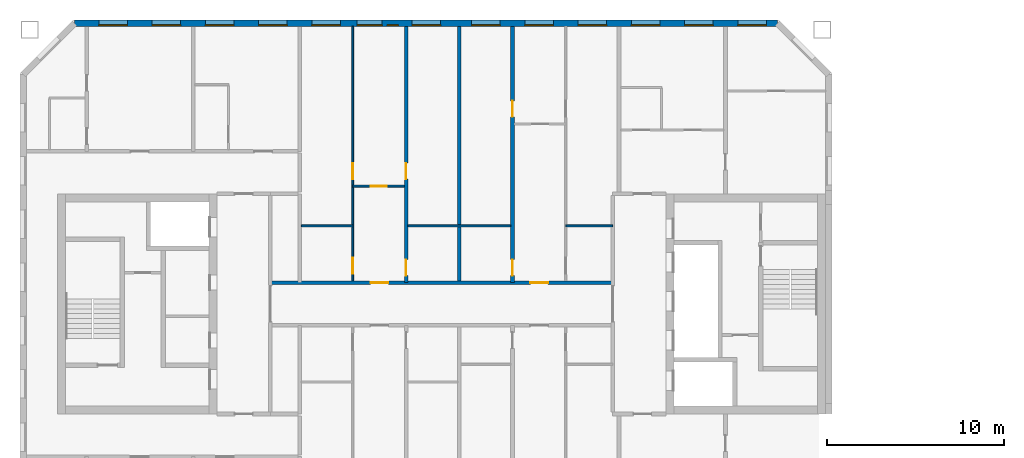
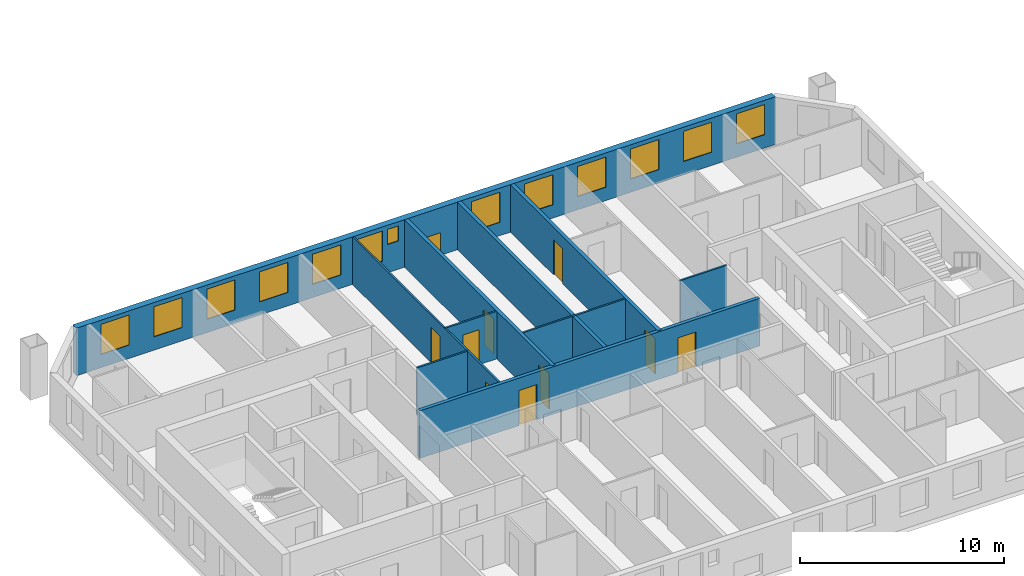
# One storey, part 5 of 15: 14 windows, 10 walls, 9 doors, 23 openings.
"""IFC4 building model written with IfcOpenShell, lengths in metres."""

from ifc_helpers import new_model, si_unit, direction, frame, frame_2d, origin, place, context, subcontext, project, spatial, rectangle, extrude, material, layer, layer_set, type_object, element, fill, save


model = new_model("IFC4")

# Units and contexts
model_context = context("Model", 3, precision=1e-05, world=origin(), true_north=direction((0.0, 1.0)))
body_context = subcontext(model_context, "Body", "Model", "MODEL_VIEW")
ifc_project = project(units=[si_unit("LENGTHUNIT", "METRE"), si_unit("AREAUNIT", "SQUARE_METRE"), si_unit("VOLUMEUNIT", "CUBIC_METRE"), si_unit("PLANEANGLEUNIT", "RADIAN"), si_unit("MASSUNIT", "GRAM", prefix="KILO")], contexts=[model_context])

# Site, building, storey
site_placement = place(None, origin())
site = spatial("IfcSite", under=ifc_project, at=site_placement, CompositionType="ELEMENT")
building_placement = place(site_placement, origin())
building = spatial("IfcBuilding", under=site, at=building_placement, Name="Tuart Gate Housing", CompositionType="ELEMENT")
storey_placement = place(building_placement, frame((0.0, 0.0, 191.300048828125)))
storey = spatial("IfcBuildingStorey", under=building, at=storey_placement, Name="L54", CompositionType="ELEMENT", Elevation=191.300048828125)

# Wall, openings, windows
ifc_material_1 = material(Name="Brick", Category="masonry")
ifc_layer_1 = layer(ifc_material_1, 0.360107421875)
ifc_layer_set_1 = layer_set([ifc_layer_1], Name="Brick pier and spandrel wall 360")
wall_type_1 = type_object("IfcWallType", Name="Brick pier and spandrel wall 360", PredefinedType="STANDARD", material=ifc_layer_set_1)
wall_1_placement = place(storey_placement, frame((72.92529296875, 85.820068359375, 0.0), z_axis=(0.0, 0.0, 1.0), x_axis=(-1.0, 0.0, 0.0)))
wall_1 = element("IfcWall", 1, at=wall_1_placement, inside=storey, type_object=wall_type_1, Name="External wall A-N L54", PredefinedType="STANDARD", context=body_context, shape_type="SweptSolid", body=[
    extrude(rectangle(XDim=39.600830078125, YDim=0.360107421875, at=frame_2d((19.80029296875, 0.0))), origin(), (0.0, 0.0, 1.0), 2.849853515625),
])
opening_1_placement = place(wall_1_placement, frame((0.62548828125, 0.0, 0.800048828125)))
opening_1 = element("IfcOpeningElement", 2, at=opening_1_placement, cuts=wall_1, Name="Opening W1", PredefinedType="OPENING", context=body_context, shape_type="SweptSolid", body=[
    extrude(rectangle(XDim=1.60009765625, YDim=1.800048828125, at=frame_2d((0.800048828125, 0.89990234375))), frame((0.0, 0.18994140625, 0.0), z_axis=(0.0, -1.0, 0.0), x_axis=(1.0, 0.0, 0.0)), (0.0, 0.0, 1.0), 0.380126953125),
])
opening_2_placement = place(wall_1_placement, frame((3.62548828125, 0.0, 0.800048828125)))
opening_2 = element("IfcOpeningElement", 3, at=opening_2_placement, cuts=wall_1, Name="Opening W1", PredefinedType="OPENING", context=body_context, shape_type="SweptSolid", body=[
    extrude(rectangle(XDim=1.60009765625, YDim=1.800048828125, at=frame_2d((0.800048828125, 0.89990234375))), frame((0.0, 0.18994140625, 0.0), z_axis=(0.0, -1.0, 0.0), x_axis=(1.0, 0.0, 0.0)), (0.0, 0.0, 1.0), 0.380126953125),
])
opening_3_placement = place(wall_1_placement, frame((6.62548828125, 0.0, 0.800048828125)))
opening_3 = element("IfcOpeningElement", 4, at=opening_3_placement, cuts=wall_1, Name="Opening W1", PredefinedType="OPENING", context=body_context, shape_type="SweptSolid", body=[
    extrude(rectangle(XDim=1.60009765625, YDim=1.800048828125, at=frame_2d((0.800048828125, 0.89990234375))), frame((0.0, 0.18994140625, 0.0), z_axis=(0.0, -1.0, 0.0), x_axis=(1.0, 0.0, 0.0)), (0.0, 0.0, 1.0), 0.380126953125),
])
opening_4_placement = place(wall_1_placement, frame((9.62548828125, 0.0, 0.800048828125)))
opening_4 = element("IfcOpeningElement", 5, at=opening_4_placement, cuts=wall_1, Name="Opening W1", PredefinedType="OPENING", context=body_context, shape_type="SweptSolid", body=[
    extrude(rectangle(XDim=1.60009765625, YDim=1.800048828125, at=frame_2d((0.800048828125, 0.89990234375))), frame((0.0, 0.18994140625, 0.0), z_axis=(0.0, -1.0, 0.0), x_axis=(1.0, 0.0, 0.0)), (0.0, 0.0, 1.0), 0.380126953125),
])
opening_5_placement = place(wall_1_placement, frame((12.62548828125, 0.0, 0.800048828125)))
opening_5 = element("IfcOpeningElement", 6, at=opening_5_placement, cuts=wall_1, Name="Opening W1", PredefinedType="OPENING", context=body_context, shape_type="SweptSolid", body=[
    extrude(rectangle(XDim=1.60009765625, YDim=1.800048828125, at=frame_2d((0.800048828125, 0.89990234375))), frame((0.0, 0.18994140625, 0.0), z_axis=(0.0, -1.0, 0.0), x_axis=(1.0, 0.0, 0.0)), (0.0, 0.0, 1.0), 0.380126953125),
])
opening_6_placement = place(wall_1_placement, frame((15.62548828125, 0.0, 0.800048828125)))
opening_6 = element("IfcOpeningElement", 7, at=opening_6_placement, cuts=wall_1, Name="Opening W1", PredefinedType="OPENING", context=body_context, shape_type="SweptSolid", body=[
    extrude(rectangle(XDim=1.60009765625, YDim=1.800048828125, at=frame_2d((0.800048828125, 0.89990234375))), frame((0.0, 0.18994140625, 0.0), z_axis=(0.0, -1.0, 0.0), x_axis=(1.0, 0.0, 0.0)), (0.0, 0.0, 1.0), 0.380126953125),
])
opening_7_placement = place(wall_1_placement, frame((18.975341796875, 0.0, 0.14990234375)))
opening_7 = element("IfcOpeningElement", 8, at=opening_7_placement, cuts=wall_1, Name="Opening W1L", PredefinedType="OPENING", context=body_context, shape_type="SweptSolid", body=[
    extrude(rectangle(XDim=1.60009765625, YDim=1.199951171875, at=frame_2d((0.800048828125, 0.60009765625))), frame((0.0, 0.18994140625, 0.0), z_axis=(0.0, -1.0, 0.0), x_axis=(1.0, 0.0, 0.0)), (0.0, 0.0, 1.0), 0.380126953125),
])
opening_8_placement = place(wall_1_placement, frame((21.37548828125, 0.0, 1.699951171875)))
opening_8 = element("IfcOpeningElement", 9, at=opening_8_placement, cuts=wall_1, Name="Opening W1W", PredefinedType="OPENING", context=body_context, shape_type="SweptSolid", body=[
    extrude(rectangle(XDim=0.60009765625, YDim=0.89990234375, at=frame_2d((0.300048828125, 0.449951171875))), frame((0.0, 0.18994140625, 0.0), z_axis=(0.0, -1.0, 0.0), x_axis=(1.0, 0.0, 0.0)), (0.0, 0.0, 1.0), 0.380126953125),
])
opening_9_placement = place(wall_1_placement, frame((24.62548828125, 0.0, 0.800048828125)))
opening_9 = element("IfcOpeningElement", 10, at=opening_9_placement, cuts=wall_1, Name="Opening W1", PredefinedType="OPENING", context=body_context, shape_type="SweptSolid", body=[
    extrude(rectangle(XDim=1.60009765625, YDim=1.800048828125, at=frame_2d((0.800048828125, 0.89990234375))), frame((0.0, 0.18994140625, 0.0), z_axis=(0.0, -1.0, 0.0), x_axis=(1.0, 0.0, 0.0)), (0.0, 0.0, 1.0), 0.380126953125),
])
opening_10_placement = place(wall_1_placement, frame((27.62548828125, 0.0, 0.800048828125)))
opening_10 = element("IfcOpeningElement", 11, at=opening_10_placement, cuts=wall_1, Name="Opening W1", PredefinedType="OPENING", context=body_context, shape_type="SweptSolid", body=[
    extrude(rectangle(XDim=1.60009765625, YDim=1.800048828125, at=frame_2d((0.800048828125, 0.89990234375))), frame((0.0, 0.18994140625, 0.0), z_axis=(0.0, -1.0, 0.0), x_axis=(1.0, 0.0, 0.0)), (0.0, 0.0, 1.0), 0.380126953125),
])
opening_11_placement = place(wall_1_placement, frame((30.62548828125, 0.0, 0.800048828125)))
opening_11 = element("IfcOpeningElement", 12, at=opening_11_placement, cuts=wall_1, Name="Opening W1", PredefinedType="OPENING", context=body_context, shape_type="SweptSolid", body=[
    extrude(rectangle(XDim=1.60009765625, YDim=1.800048828125, at=frame_2d((0.800048828125, 0.89990234375))), frame((0.0, 0.18994140625, 0.0), z_axis=(0.0, -1.0, 0.0), x_axis=(1.0, 0.0, 0.0)), (0.0, 0.0, 1.0), 0.380126953125),
])
opening_12_placement = place(wall_1_placement, frame((33.62548828125, 0.0, 0.800048828125)))
opening_12 = element("IfcOpeningElement", 13, at=opening_12_placement, cuts=wall_1, Name="Opening W1", PredefinedType="OPENING", context=body_context, shape_type="SweptSolid", body=[
    extrude(rectangle(XDim=1.60009765625, YDim=1.800048828125, at=frame_2d((0.800048828125, 0.89990234375))), frame((0.0, 0.18994140625, 0.0), z_axis=(0.0, -1.0, 0.0), x_axis=(1.0, 0.0, 0.0)), (0.0, 0.0, 1.0), 0.380126953125),
])
opening_13_placement = place(wall_1_placement, frame((36.62548828125, 0.0, 0.800048828125)))
opening_13 = element("IfcOpeningElement", 14, at=opening_13_placement, cuts=wall_1, Name="Opening W1", PredefinedType="OPENING", context=body_context, shape_type="SweptSolid", body=[
    extrude(rectangle(XDim=1.60009765625, YDim=1.800048828125, at=frame_2d((0.800048828125, 0.89990234375))), frame((0.0, 0.18994140625, 0.0), z_axis=(0.0, -1.0, 0.0), x_axis=(1.0, 0.0, 0.0)), (0.0, 0.0, 1.0), 0.380126953125),
])
opening_14_placement = place(wall_1_placement, frame((22.275390625, 0.0, 0.800048828125)))
opening_14 = element("IfcOpeningElement", 15, at=opening_14_placement, cuts=wall_1, Name="Opening W1A", PredefinedType="OPENING", context=body_context, shape_type="SweptSolid", body=[
    extrude(rectangle(XDim=1.39990234375, YDim=1.800048828125, at=frame_2d((0.699951171875, 0.89990234375))), frame((0.0, 0.18994140625, 0.0), z_axis=(0.0, -1.0, 0.0), x_axis=(1.0, 0.0, 0.0)), (0.0, 0.0, 1.0), 0.380126953125),
])
ifc_material_2 = material(Name="Aluminium frame with clear glass", Category="aluminium")
window_type_1 = type_object("IfcWindowType", Name="Punched window 1400 x 1800", PartitioningType="SINGLE_PANEL", PredefinedType="WINDOW", material=ifc_material_2)
window_1_placement = place(opening_14_placement, origin())
window_1 = element("IfcWindow", 16, at=window_1_placement, inside=storey, type_object=window_type_1, Name="Window W1A", OverallHeight=1.800048828125, OverallWidth=1.39990234375, PartitioningType="SINGLE_PANEL", PredefinedType="WINDOW", context=body_context, shape_type="SweptSolid", body=[
    extrude(rectangle(XDim=1.39990234375, YDim=1.800048828125, at=frame_2d((0.699951171875, 0.89990234375))), frame((0.0, 0.150146484375, 0.0), z_axis=(0.0, -1.0, 0.0), x_axis=(1.0, 0.0, 0.0)), (0.0, 0.0, 1.0), 0.06005859375),
])
fill(opening_14, window_1)
ifc_material_3 = material(Name="Aluminium frame with clear glass", Category="aluminium")
window_type_2 = type_object("IfcWindowType", Name="Punched window 1600 x 1200", PartitioningType="SINGLE_PANEL", PredefinedType="WINDOW", material=ifc_material_3)
window_2_placement = place(opening_7_placement, origin())
window_2 = element("IfcWindow", 17, at=window_2_placement, inside=storey, type_object=window_type_2, Name="Window W1L", OverallHeight=1.199951171875, OverallWidth=1.60009765625, PartitioningType="SINGLE_PANEL", PredefinedType="WINDOW", context=body_context, shape_type="SweptSolid", body=[
    extrude(rectangle(XDim=1.60009765625, YDim=1.199951171875, at=frame_2d((0.800048828125, 0.60009765625))), frame((0.0, 0.150146484375, 0.0), z_axis=(0.0, -1.0, 0.0), x_axis=(1.0, 0.0, 0.0)), (0.0, 0.0, 1.0), 0.06005859375),
])
fill(opening_7, window_2)
ifc_material_4 = material(Name="Aluminium frame with clear glass", Category="aluminium")
window_type_3 = type_object("IfcWindowType", Name="Punched window 1600 x 1800", PartitioningType="SINGLE_PANEL", PredefinedType="WINDOW", material=ifc_material_4)
window_3_placement = place(opening_1_placement, origin())
window_3 = element("IfcWindow", 18, at=window_3_placement, inside=storey, type_object=window_type_3, Name="Window W1", OverallHeight=1.800048828125, OverallWidth=1.60009765625, PartitioningType="SINGLE_PANEL", PredefinedType="WINDOW", context=body_context, shape_type="SweptSolid", body=[
    extrude(rectangle(XDim=1.60009765625, YDim=1.800048828125, at=frame_2d((0.800048828125, 0.89990234375))), frame((0.0, 0.150146484375, 0.0), z_axis=(0.0, -1.0, 0.0), x_axis=(1.0, 0.0, 0.0)), (0.0, 0.0, 1.0), 0.06005859375),
])
fill(opening_1, window_3)
window_4_placement = place(opening_2_placement, origin())
window_4 = element("IfcWindow", 19, at=window_4_placement, inside=storey, type_object=window_type_3, Name="Window W1", OverallHeight=1.800048828125, OverallWidth=1.60009765625, PartitioningType="SINGLE_PANEL", PredefinedType="WINDOW", context=body_context, shape_type="SweptSolid", body=[
    extrude(rectangle(XDim=1.60009765625, YDim=1.800048828125, at=frame_2d((0.800048828125, 0.89990234375))), frame((0.0, 0.150146484375, 0.0), z_axis=(0.0, -1.0, 0.0), x_axis=(1.0, 0.0, 0.0)), (0.0, 0.0, 1.0), 0.06005859375),
])
fill(opening_2, window_4)
window_5_placement = place(opening_3_placement, origin())
window_5 = element("IfcWindow", 20, at=window_5_placement, inside=storey, type_object=window_type_3, Name="Window W1", OverallHeight=1.800048828125, OverallWidth=1.60009765625, PartitioningType="SINGLE_PANEL", PredefinedType="WINDOW", context=body_context, shape_type="SweptSolid", body=[
    extrude(rectangle(XDim=1.60009765625, YDim=1.800048828125, at=frame_2d((0.800048828125, 0.89990234375))), frame((0.0, 0.150146484375, 0.0), z_axis=(0.0, -1.0, 0.0), x_axis=(1.0, 0.0, 0.0)), (0.0, 0.0, 1.0), 0.06005859375),
])
fill(opening_3, window_5)
window_6_placement = place(opening_4_placement, origin())
window_6 = element("IfcWindow", 21, at=window_6_placement, inside=storey, type_object=window_type_3, Name="Window W1", OverallHeight=1.800048828125, OverallWidth=1.60009765625, PartitioningType="SINGLE_PANEL", PredefinedType="WINDOW", context=body_context, shape_type="SweptSolid", body=[
    extrude(rectangle(XDim=1.60009765625, YDim=1.800048828125, at=frame_2d((0.800048828125, 0.89990234375))), frame((0.0, 0.150146484375, 0.0), z_axis=(0.0, -1.0, 0.0), x_axis=(1.0, 0.0, 0.0)), (0.0, 0.0, 1.0), 0.06005859375),
])
fill(opening_4, window_6)
window_7_placement = place(opening_5_placement, origin())
window_7 = element("IfcWindow", 22, at=window_7_placement, inside=storey, type_object=window_type_3, Name="Window W1", OverallHeight=1.800048828125, OverallWidth=1.60009765625, PartitioningType="SINGLE_PANEL", PredefinedType="WINDOW", context=body_context, shape_type="SweptSolid", body=[
    extrude(rectangle(XDim=1.60009765625, YDim=1.800048828125, at=frame_2d((0.800048828125, 0.89990234375))), frame((0.0, 0.150146484375, 0.0), z_axis=(0.0, -1.0, 0.0), x_axis=(1.0, 0.0, 0.0)), (0.0, 0.0, 1.0), 0.06005859375),
])
fill(opening_5, window_7)
window_8_placement = place(opening_6_placement, origin())
window_8 = element("IfcWindow", 23, at=window_8_placement, inside=storey, type_object=window_type_3, Name="Window W1", OverallHeight=1.800048828125, OverallWidth=1.60009765625, PartitioningType="SINGLE_PANEL", PredefinedType="WINDOW", context=body_context, shape_type="SweptSolid", body=[
    extrude(rectangle(XDim=1.60009765625, YDim=1.800048828125, at=frame_2d((0.800048828125, 0.89990234375))), frame((0.0, 0.150146484375, 0.0), z_axis=(0.0, -1.0, 0.0), x_axis=(1.0, 0.0, 0.0)), (0.0, 0.0, 1.0), 0.06005859375),
])
fill(opening_6, window_8)
window_9_placement = place(opening_9_placement, origin())
window_9 = element("IfcWindow", 24, at=window_9_placement, inside=storey, type_object=window_type_3, Name="Window W1", OverallHeight=1.800048828125, OverallWidth=1.60009765625, PartitioningType="SINGLE_PANEL", PredefinedType="WINDOW", context=body_context, shape_type="SweptSolid", body=[
    extrude(rectangle(XDim=1.60009765625, YDim=1.800048828125, at=frame_2d((0.800048828125, 0.89990234375))), frame((0.0, 0.150146484375, 0.0), z_axis=(0.0, -1.0, 0.0), x_axis=(1.0, 0.0, 0.0)), (0.0, 0.0, 1.0), 0.06005859375),
])
fill(opening_9, window_9)
window_10_placement = place(opening_10_placement, origin())
window_10 = element("IfcWindow", 25, at=window_10_placement, inside=storey, type_object=window_type_3, Name="Window W1", OverallHeight=1.800048828125, OverallWidth=1.60009765625, PartitioningType="SINGLE_PANEL", PredefinedType="WINDOW", context=body_context, shape_type="SweptSolid", body=[
    extrude(rectangle(XDim=1.60009765625, YDim=1.800048828125, at=frame_2d((0.800048828125, 0.89990234375))), frame((0.0, 0.150146484375, 0.0), z_axis=(0.0, -1.0, 0.0), x_axis=(1.0, 0.0, 0.0)), (0.0, 0.0, 1.0), 0.06005859375),
])
fill(opening_10, window_10)
window_11_placement = place(opening_11_placement, origin())
window_11 = element("IfcWindow", 26, at=window_11_placement, inside=storey, type_object=window_type_3, Name="Window W1", OverallHeight=1.800048828125, OverallWidth=1.60009765625, PartitioningType="SINGLE_PANEL", PredefinedType="WINDOW", context=body_context, shape_type="SweptSolid", body=[
    extrude(rectangle(XDim=1.60009765625, YDim=1.800048828125, at=frame_2d((0.800048828125, 0.89990234375))), frame((0.0, 0.150146484375, 0.0), z_axis=(0.0, -1.0, 0.0), x_axis=(1.0, 0.0, 0.0)), (0.0, 0.0, 1.0), 0.06005859375),
])
fill(opening_11, window_11)
window_12_placement = place(opening_12_placement, origin())
window_12 = element("IfcWindow", 27, at=window_12_placement, inside=storey, type_object=window_type_3, Name="Window W1", OverallHeight=1.800048828125, OverallWidth=1.60009765625, PartitioningType="SINGLE_PANEL", PredefinedType="WINDOW", context=body_context, shape_type="SweptSolid", body=[
    extrude(rectangle(XDim=1.60009765625, YDim=1.800048828125, at=frame_2d((0.800048828125, 0.89990234375))), frame((0.0, 0.150146484375, 0.0), z_axis=(0.0, -1.0, 0.0), x_axis=(1.0, 0.0, 0.0)), (0.0, 0.0, 1.0), 0.06005859375),
])
fill(opening_12, window_12)
window_13_placement = place(opening_13_placement, origin())
window_13 = element("IfcWindow", 28, at=window_13_placement, inside=storey, type_object=window_type_3, Name="Window W1", OverallHeight=1.800048828125, OverallWidth=1.60009765625, PartitioningType="SINGLE_PANEL", PredefinedType="WINDOW", context=body_context, shape_type="SweptSolid", body=[
    extrude(rectangle(XDim=1.60009765625, YDim=1.800048828125, at=frame_2d((0.800048828125, 0.89990234375))), frame((0.0, 0.150146484375, 0.0), z_axis=(0.0, -1.0, 0.0), x_axis=(1.0, 0.0, 0.0)), (0.0, 0.0, 1.0), 0.06005859375),
])
fill(opening_13, window_13)
ifc_material_5 = material(Name="Aluminium frame with clear glass", Category="aluminium")
window_type_4 = type_object("IfcWindowType", Name="Punched window 600 x 900", PartitioningType="SINGLE_PANEL", PredefinedType="WINDOW", material=ifc_material_5)
window_14_placement = place(opening_8_placement, origin())
window_14 = element("IfcWindow", 29, at=window_14_placement, inside=storey, type_object=window_type_4, Name="Window W1W", OverallHeight=0.89990234375, OverallWidth=0.60009765625, PartitioningType="SINGLE_PANEL", PredefinedType="WINDOW", context=body_context, shape_type="SweptSolid", body=[
    extrude(rectangle(XDim=0.60009765625, YDim=0.89990234375, at=frame_2d((0.300048828125, 0.449951171875))), frame((0.0, 0.150146484375, 0.0), z_axis=(0.0, -1.0, 0.0), x_axis=(1.0, 0.0, 0.0)), (0.0, 0.0, 1.0), 0.06005859375),
])
fill(opening_8, window_14)

# Wall, openings, doors
ifc_material_6 = material(Name="Concrete masonry 15 MPa", Category="masonry")
ifc_layer_2 = layer(ifc_material_6, 0.199951171875)
ifc_layer_set_2 = layer_set([ifc_layer_2], Name="Corridor wall masonry 200")
wall_type_2 = type_object("IfcWallType", Name="Corridor wall masonry 200", PredefinedType="PARTITIONING", material=ifc_layer_set_2)
wall_2_placement = place(storey_placement, frame((44.360107421875, 71.199951171875, 0.0), z_axis=(0.0, 0.0, 1.0), x_axis=(1.0, 0.0, 0.0)))
wall_2 = element("IfcWall", 30, at=wall_2_placement, inside=storey, type_object=wall_type_2, Name="Corridor wall masonry 200", PredefinedType="PARTITIONING", context=body_context, shape_type="SweptSolid", body=[
    extrude(rectangle(XDim=19.27978515625, YDim=0.199951171875, at=frame_2d((9.639892578125, 0.0))), origin(), (0.0, 0.0, 1.0), 2.849853515625),
])
opening_15_placement = place(wall_2_placement, frame((14.639892578125, 0.0, 0.0)))
opening_15 = element("IfcOpeningElement", 31, at=opening_15_placement, cuts=wall_2, Name="Opening D2630", PredefinedType="OPENING", context=body_context, shape_type="SweptSolid", body=[
    extrude(rectangle(XDim=1.0, YDim=2.10009765625, at=frame_2d((0.5, 1.050048828125))), frame((0.0, 0.10986328125, 0.0), z_axis=(0.0, -1.0, 0.0), x_axis=(1.0, 0.0, 0.0)), (0.0, 0.0, 1.0), 0.219970703125),
])
opening_16_placement = place(wall_2_placement, frame((5.639892578125, 0.0, 0.0)))
opening_16 = element("IfcOpeningElement", 32, at=opening_16_placement, cuts=wall_2, Name="Opening D2631", PredefinedType="OPENING", context=body_context, shape_type="SweptSolid", body=[
    extrude(rectangle(XDim=1.0, YDim=2.10009765625, at=frame_2d((0.5, 1.050048828125))), frame((0.0, 0.10986328125, 0.0), z_axis=(0.0, -1.0, 0.0), x_axis=(1.0, 0.0, 0.0)), (0.0, 0.0, 1.0), 0.219970703125),
])
ifc_material_7 = material(Name="Timber door leaf in steel frame", Category="steel")
door_type_1 = type_object("IfcDoorType", Name="Flat entrance door 1000", OperationType="SINGLE_SWING_LEFT", PredefinedType="DOOR", material=ifc_material_7)
door_1_placement = place(opening_15_placement, origin())
door_1 = element("IfcDoor", 33, at=door_1_placement, inside=storey, type_object=door_type_1, Name="Flat entrance door", OperationType="SINGLE_SWING_LEFT", OverallHeight=2.10009765625, OverallWidth=1.0, PredefinedType="DOOR", context=body_context, shape_type="SweptSolid", body=[
    extrude(rectangle(XDim=1.0, YDim=2.10009765625, at=frame_2d((0.5, 1.050048828125))), frame((0.0, 0.02490234375, 0.0), z_axis=(0.0, -1.0, 0.0), x_axis=(1.0, 0.0, 0.0)), (0.0, 0.0, 1.0), 0.050048828125),
])
fill(opening_15, door_1)
door_2_placement = place(opening_16_placement, origin())
door_2 = element("IfcDoor", 34, at=door_2_placement, inside=storey, type_object=door_type_1, Name="Flat entrance door", OperationType="SINGLE_SWING_LEFT", OverallHeight=2.10009765625, OverallWidth=1.0, PredefinedType="DOOR", context=body_context, shape_type="SweptSolid", body=[
    extrude(rectangle(XDim=1.0, YDim=2.10009765625, at=frame_2d((0.5, 1.050048828125))), frame((0.0, 0.02490234375, 0.0), z_axis=(0.0, -1.0, 0.0), x_axis=(1.0, 0.0, 0.0)), (0.0, 0.0, 1.0), 0.050048828125),
])
fill(opening_16, door_2)

# Walls
ifc_material_8 = material(Name="Gypsum board on steel studs", Category="steel")
ifc_layer_3 = layer(ifc_material_8, 0.10009765625)
ifc_layer_set_3 = layer_set([ifc_layer_3], Name="Partition 100")
wall_type_3 = type_object("IfcWallType", Name="Partition 100", PredefinedType="PARTITIONING", material=ifc_layer_set_3)
wall_3_placement = place(storey_placement, frame((46.10009765625, 74.39990234375, 0.0), z_axis=(0.0, 0.0, 1.0), x_axis=(1.0, 0.0, 0.0)))
element("IfcWall", 35, at=wall_3_placement, inside=storey, type_object=wall_type_3, Name="Partition 100", PredefinedType="PARTITIONING", context=body_context, shape_type="SweptSolid", body=[
    extrude(rectangle(XDim=2.89990234375, YDim=0.10009765625, at=frame_2d((1.449951171875, 0.0))), origin(), (0.0, 0.0, 1.0), 2.849853515625),
])
wall_4_placement = place(storey_placement, frame((52.10009765625, 74.39990234375, 0.0), z_axis=(0.0, 0.0, 1.0), x_axis=(1.0, 0.0, 0.0)))
element("IfcWall", 36, at=wall_4_placement, inside=storey, type_object=wall_type_3, Name="Partition 100", PredefinedType="PARTITIONING", context=body_context, shape_type="SweptSolid", body=[
    extrude(rectangle(XDim=5.7998046875, YDim=0.10009765625, at=frame_2d((2.89990234375, 0.0))), origin(), (0.0, 0.0, 1.0), 2.849853515625),
])
wall_5_placement = place(storey_placement, frame((61.0, 74.39990234375, 0.0), z_axis=(0.0, 0.0, 1.0), x_axis=(1.0, 0.0, 0.0)))
element("IfcWall", 37, at=wall_5_placement, inside=storey, type_object=wall_type_3, Name="Partition 100", PredefinedType="PARTITIONING", context=body_context, shape_type="SweptSolid", body=[
    extrude(rectangle(XDim=2.639892578125, YDim=0.10009765625, at=frame_2d((1.31982421875, 0.0))), origin(), (0.0, 0.0, 1.0), 2.849853515625),
])

# Wall, opening, door
wall_6_placement = place(storey_placement, frame((49.0, 76.639892578125, 0.0), z_axis=(0.0, 0.0, 1.0), x_axis=(1.0, 0.0, 0.0)))
wall_6 = element("IfcWall", 38, at=wall_6_placement, inside=storey, type_object=wall_type_3, Name="Partition 100", PredefinedType="PARTITIONING", context=body_context, shape_type="SweptSolid", body=[
    extrude(rectangle(XDim=2.89990234375, YDim=0.10009765625, at=frame_2d((1.449951171875, 0.0))), origin(), (0.0, 0.0, 1.0), 2.849853515625),
])
opening_17_placement = place(wall_6_placement, frame((1.0, 0.0, 0.0)))
opening_17 = element("IfcOpeningElement", 39, at=opening_17_placement, cuts=wall_6, Name="Opening D2625", PredefinedType="OPENING", context=body_context, shape_type="SweptSolid", body=[
    extrude(rectangle(XDim=0.89990234375, YDim=2.10009765625, at=frame_2d((0.449951171875, 1.050048828125))), frame((0.0, 0.06005859375, 0.0), z_axis=(0.0, -1.0, 0.0), x_axis=(1.0, 0.0, 0.0)), (0.0, 0.0, 1.0), 0.1201171875),
])
ifc_material_9 = material(Name="Timber door leaf in steel frame", Category="steel")
door_type_2 = type_object("IfcDoorType", Name="Internal door 900 RH", OperationType="SINGLE_SWING_RIGHT", PredefinedType="DOOR", material=ifc_material_9)
door_3_placement = place(opening_17_placement, frame((0.89990234375, 0.0, 0.0), z_axis=(0.0, 0.0, 1.0), x_axis=(-1.0, 0.0, 0.0)))
door_3 = element("IfcDoor", 40, at=door_3_placement, inside=storey, type_object=door_type_2, Name="Internal door", OperationType="SINGLE_SWING_RIGHT", OverallHeight=2.10009765625, OverallWidth=0.89990234375, PredefinedType="DOOR", context=body_context, shape_type="SweptSolid", body=[
    extrude(rectangle(XDim=0.89990234375, YDim=2.10009765625, at=frame_2d((0.449951171875, 1.050048828125))), frame((0.0, 0.025146484375, 0.0), z_axis=(0.0, -1.0, 0.0), x_axis=(1.0, 0.0, 0.0)), (0.0, 0.0, 1.0), 0.050048828125),
])
fill(opening_17, door_3)

# Wall, openings, doors
wall_7_placement = place(storey_placement, frame((49.0, 71.300048828125, 0.0), z_axis=(0.0, 0.0, 1.0), x_axis=(0.0, 1.0, 0.0)))
wall_7 = element("IfcWall", 41, at=wall_7_placement, inside=storey, type_object=wall_type_3, Name="Partition 100", PredefinedType="PARTITIONING", context=body_context, shape_type="SweptSolid", body=[
    extrude(rectangle(XDim=14.33984375, YDim=0.10009765625, at=frame_2d((7.169921875, 0.0))), origin(), (0.0, 0.0, 1.0), 2.849853515625),
])
opening_18_placement = place(wall_7_placement, frame((5.739990234375, 0.0, 0.0)))
opening_18 = element("IfcOpeningElement", 42, at=opening_18_placement, cuts=wall_7, Name="Opening D2618", PredefinedType="OPENING", context=body_context, shape_type="SweptSolid", body=[
    extrude(rectangle(XDim=0.89990234375, YDim=2.10009765625, at=frame_2d((0.449951171875, 1.050048828125))), frame((0.0, 0.06005859375, 0.0), z_axis=(0.0, -1.0, 0.0), x_axis=(1.0, 0.0, 0.0)), (0.0, 0.0, 1.0), 0.1201171875),
])
opening_19_placement = place(wall_7_placement, frame((0.39990234375, 0.0, 0.0)))
opening_19 = element("IfcOpeningElement", 43, at=opening_19_placement, cuts=wall_7, Name="Opening D2617", PredefinedType="OPENING", context=body_context, shape_type="SweptSolid", body=[
    extrude(rectangle(XDim=0.89990234375, YDim=2.10009765625, at=frame_2d((0.449951171875, 1.050048828125))), frame((0.0, 0.06005859375, 0.0), z_axis=(0.0, -1.0, 0.0), x_axis=(1.0, 0.0, 0.0)), (0.0, 0.0, 1.0), 0.1201171875),
])
ifc_material_10 = material(Name="Timber door leaf in steel frame", Category="steel")
door_type_3 = type_object("IfcDoorType", Name="Bathroom door 900", OperationType="SINGLE_SWING_LEFT", PredefinedType="DOOR", material=ifc_material_10)
door_4_placement = place(opening_19_placement, origin())
door_4 = element("IfcDoor", 44, at=door_4_placement, inside=storey, type_object=door_type_3, Name="Bathroom door", OperationType="SINGLE_SWING_LEFT", OverallHeight=2.10009765625, OverallWidth=0.89990234375, PredefinedType="DOOR", context=body_context, shape_type="SweptSolid", body=[
    extrude(rectangle(XDim=0.89990234375, YDim=2.10009765625, at=frame_2d((0.449951171875, 1.050048828125))), frame((0.0, 0.02490234375, 0.0), z_axis=(0.0, -1.0, 0.0), x_axis=(1.0, 0.0, 0.0)), (0.0, 0.0, 1.0), 0.050048828125),
])
fill(opening_19, door_4)
ifc_material_11 = material(Name="Timber door leaf in steel frame", Category="steel")
door_type_4 = type_object("IfcDoorType", Name="Internal door 900", OperationType="SINGLE_SWING_LEFT", PredefinedType="DOOR", material=ifc_material_11)
door_5_placement = place(opening_18_placement, origin())
door_5 = element("IfcDoor", 45, at=door_5_placement, inside=storey, type_object=door_type_4, Name="Internal door", OperationType="SINGLE_SWING_LEFT", OverallHeight=2.10009765625, OverallWidth=0.89990234375, PredefinedType="DOOR", context=body_context, shape_type="SweptSolid", body=[
    extrude(rectangle(XDim=0.89990234375, YDim=2.10009765625, at=frame_2d((0.449951171875, 1.050048828125))), frame((0.0, 0.02490234375, 0.0), z_axis=(0.0, -1.0, 0.0), x_axis=(1.0, 0.0, 0.0)), (0.0, 0.0, 1.0), 0.050048828125),
])
fill(opening_18, door_5)

ifc_material_12 = material(Name="Concrete C40", Category="concrete")
ifc_layer_4 = layer(ifc_material_12, 0.199951171875)
ifc_layer_set_4 = layer_set([ifc_layer_4], Name="Party wall concrete C40 200")
wall_type_4 = type_object("IfcWallType", Name="Party wall concrete C40 200", PredefinedType="SOLIDWALL", material=ifc_layer_set_4)
wall_8_placement = place(storey_placement, frame((52.0, 71.199951171875, 0.0), z_axis=(0.0, 0.0, 1.0), x_axis=(0.0, 1.0, 0.0)))
wall_8 = element("IfcWall", 46, at=wall_8_placement, inside=storey, type_object=wall_type_4, Name="Party wall concrete C40 200", PredefinedType="SOLIDWALL", context=body_context, shape_type="SweptSolid", body=[
    extrude(rectangle(XDim=14.43994140625, YDim=0.199951171875, at=frame_2d((7.219970703125, 0.0))), origin(), (0.0, 0.0, 1.0), 2.849853515625),
])
opening_20_placement = place(wall_8_placement, frame((5.840087890625, 0.0, 0.0)))
opening_20 = element("IfcOpeningElement", 47, at=opening_20_placement, cuts=wall_8, Name="Opening D2622", PredefinedType="OPENING", context=body_context, shape_type="SweptSolid", body=[
    extrude(rectangle(XDim=0.89990234375, YDim=2.10009765625, at=frame_2d((0.449951171875, 1.050048828125))), frame((0.0, 0.10986328125, 0.0), z_axis=(0.0, -1.0, 0.0), x_axis=(1.0, 0.0, 0.0)), (0.0, 0.0, 1.0), 0.219970703125),
])
opening_21_placement = place(wall_8_placement, frame((0.39990234375, 0.0, 0.0)))
opening_21 = element("IfcOpeningElement", 48, at=opening_21_placement, cuts=wall_8, Name="Opening D2621", PredefinedType="OPENING", context=body_context, shape_type="SweptSolid", body=[
    extrude(rectangle(XDim=0.89990234375, YDim=2.10009765625, at=frame_2d((0.449951171875, 1.050048828125))), frame((0.0, 0.10986328125, 0.0), z_axis=(0.0, -1.0, 0.0), x_axis=(1.0, 0.0, 0.0)), (0.0, 0.0, 1.0), 0.219970703125),
])
ifc_material_13 = material(Name="Timber door leaf in steel frame", Category="steel")
door_type_5 = type_object("IfcDoorType", Name="Bathroom door 900 RH", OperationType="SINGLE_SWING_RIGHT", PredefinedType="DOOR", material=ifc_material_13)
door_6_placement = place(opening_21_placement, frame((0.89990234375, 0.0, 0.0), z_axis=(0.0, 0.0, 1.0), x_axis=(-1.0, 0.0, 0.0)))
door_6 = element("IfcDoor", 49, at=door_6_placement, inside=storey, type_object=door_type_5, Name="Bathroom door", OperationType="SINGLE_SWING_RIGHT", OverallHeight=2.10009765625, OverallWidth=0.89990234375, PredefinedType="DOOR", context=body_context, shape_type="SweptSolid", body=[
    extrude(rectangle(XDim=0.89990234375, YDim=2.10009765625, at=frame_2d((0.449951171875, 1.050048828125))), frame((0.0, 0.025146484375, 0.0), z_axis=(0.0, -1.0, 0.0), x_axis=(1.0, 0.0, 0.0)), (0.0, 0.0, 1.0), 0.050048828125),
])
fill(opening_21, door_6)
door_7_placement = place(opening_20_placement, frame((0.89990234375, 0.0, 0.0), z_axis=(0.0, 0.0, 1.0), x_axis=(-1.0, 0.0, 0.0)))
door_7 = element("IfcDoor", 50, at=door_7_placement, inside=storey, type_object=door_type_2, Name="Internal door", OperationType="SINGLE_SWING_RIGHT", OverallHeight=2.10009765625, OverallWidth=0.89990234375, PredefinedType="DOOR", context=body_context, shape_type="SweptSolid", body=[
    extrude(rectangle(XDim=0.89990234375, YDim=2.10009765625, at=frame_2d((0.449951171875, 1.050048828125))), frame((0.0, 0.025146484375, 0.0), z_axis=(0.0, -1.0, 0.0), x_axis=(1.0, 0.0, 0.0)), (0.0, 0.0, 1.0), 0.050048828125),
])
fill(opening_20, door_7)

wall_9_placement = place(storey_placement, frame((58.0, 71.199951171875, 0.0), z_axis=(0.0, 0.0, 1.0), x_axis=(0.0, 1.0, 0.0)))
wall_9 = element("IfcWall", 51, at=wall_9_placement, inside=storey, type_object=wall_type_4, Name="Party wall concrete C40 200", PredefinedType="SOLIDWALL", context=body_context, shape_type="SweptSolid", body=[
    extrude(rectangle(XDim=14.43994140625, YDim=0.199951171875, at=frame_2d((7.219970703125, 0.0))), origin(), (0.0, 0.0, 1.0), 2.849853515625),
])
opening_22_placement = place(wall_9_placement, frame((9.340087890625, 0.0, 0.0)))
opening_22 = element("IfcOpeningElement", 52, at=opening_22_placement, cuts=wall_9, Name="Opening D2624", PredefinedType="OPENING", context=body_context, shape_type="SweptSolid", body=[
    extrude(rectangle(XDim=0.89990234375, YDim=2.10009765625, at=frame_2d((0.449951171875, 1.050048828125))), frame((0.0, 0.10986328125, 0.0), z_axis=(0.0, -1.0, 0.0), x_axis=(1.0, 0.0, 0.0)), (0.0, 0.0, 1.0), 0.219970703125),
])
opening_23_placement = place(wall_9_placement, frame((0.39990234375, 0.0, 0.0)))
opening_23 = element("IfcOpeningElement", 53, at=opening_23_placement, cuts=wall_9, Name="Opening D2623", PredefinedType="OPENING", context=body_context, shape_type="SweptSolid", body=[
    extrude(rectangle(XDim=0.89990234375, YDim=2.10009765625, at=frame_2d((0.449951171875, 1.050048828125))), frame((0.0, 0.10986328125, 0.0), z_axis=(0.0, -1.0, 0.0), x_axis=(1.0, 0.0, 0.0)), (0.0, 0.0, 1.0), 0.219970703125),
])
door_8_placement = place(opening_23_placement, origin())
door_8 = element("IfcDoor", 54, at=door_8_placement, inside=storey, type_object=door_type_3, Name="Bathroom door", OperationType="SINGLE_SWING_LEFT", OverallHeight=2.10009765625, OverallWidth=0.89990234375, PredefinedType="DOOR", context=body_context, shape_type="SweptSolid", body=[
    extrude(rectangle(XDim=0.89990234375, YDim=2.10009765625, at=frame_2d((0.449951171875, 1.050048828125))), frame((0.0, 0.02490234375, 0.0), z_axis=(0.0, -1.0, 0.0), x_axis=(1.0, 0.0, 0.0)), (0.0, 0.0, 1.0), 0.050048828125),
])
fill(opening_23, door_8)
door_9_placement = place(opening_22_placement, origin())
door_9 = element("IfcDoor", 55, at=door_9_placement, inside=storey, type_object=door_type_2, Name="Internal door", OperationType="SINGLE_SWING_RIGHT", OverallHeight=2.10009765625, OverallWidth=0.89990234375, PredefinedType="DOOR", context=body_context, shape_type="SweptSolid", body=[
    extrude(rectangle(XDim=0.89990234375, YDim=2.10009765625, at=frame_2d((0.449951171875, 1.050048828125))), frame((0.0, 0.02490234375, 0.0), z_axis=(0.0, -1.0, 0.0), x_axis=(1.0, 0.0, 0.0)), (0.0, 0.0, 1.0), 0.050048828125),
])
fill(opening_22, door_9)

# Wall
ifc_material_14 = material(Name="Concrete masonry 15 MPa", Category="masonry")
ifc_layer_5 = layer(ifc_material_14, 0.199951171875)
ifc_layer_set_5 = layer_set([ifc_layer_5], Name="Party wall masonry 200")
wall_type_5 = type_object("IfcWallType", Name="Party wall masonry 200", PredefinedType="PARTITIONING", material=ifc_layer_set_5)
wall_10_placement = place(storey_placement, frame((55.0, 71.300048828125, 0.0), z_axis=(0.0, 0.0, 1.0), x_axis=(0.0, 1.0, 0.0)))
element("IfcWall", 56, at=wall_10_placement, inside=storey, type_object=wall_type_5, Name="Party wall masonry 200", PredefinedType="PARTITIONING", context=body_context, shape_type="SweptSolid", body=[
    extrude(rectangle(XDim=14.33984375, YDim=0.199951171875, at=frame_2d((7.169921875, 0.0))), origin(), (0.0, 0.0, 1.0), 2.849853515625),
])

save(model, "model.ifc")
